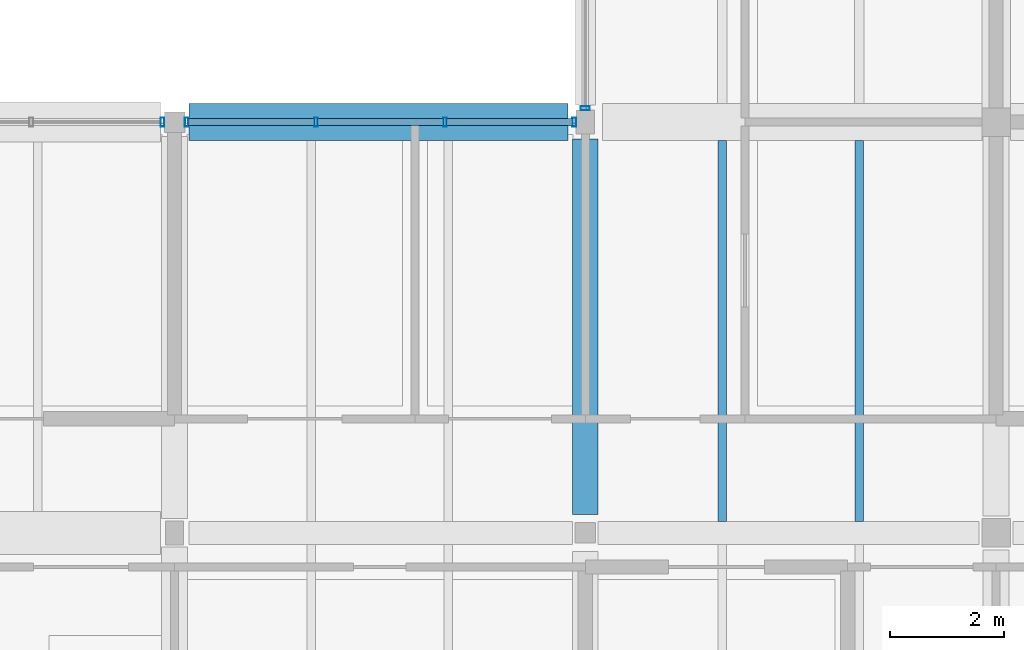
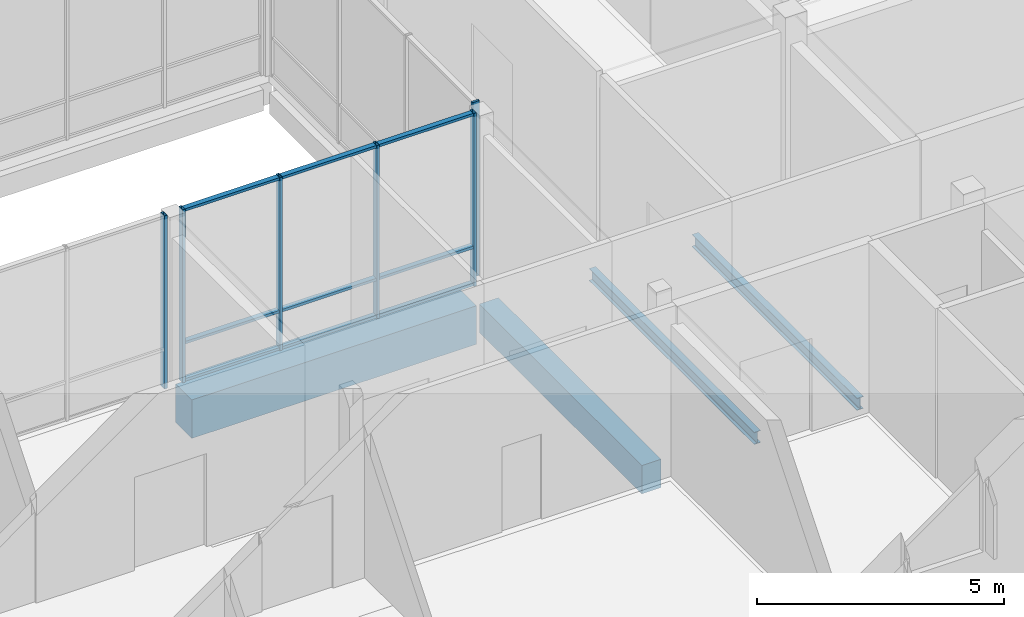
# One storey, part 69 of 146: 15 members, 4 beams, 3 elements without a shape of their own.
"""IFC4 building model written with IfcOpenShell, lengths in metres."""

from ifc_helpers import new_model, si_unit, direction, frame, origin, origin_2d, place, context, subcontext, project, spatial, rectangle, hollow_rectangle, i_section, extrude, material, material_profile, profile_set, type_object, element, aggregate, save


model = new_model("IFC4")

# Units and contexts
model_context = context("Model", 3, precision=1e-05, world=origin(), true_north=direction((0.0, 1.0)))
body_context = subcontext(model_context, "Body", "Model", "MODEL_VIEW")
ifc_project = project(units=[si_unit("LENGTHUNIT", "METRE"), si_unit("AREAUNIT", "SQUARE_METRE"), si_unit("VOLUMEUNIT", "CUBIC_METRE"), si_unit("PLANEANGLEUNIT", "RADIAN"), si_unit("MASSUNIT", "GRAM", prefix="KILO")], contexts=[model_context])

# Site, building, storey
site_placement = place(None, origin())
site = spatial("IfcSite", under=ifc_project, at=site_placement, CompositionType="ELEMENT")
building_placement = place(site_placement, origin())
building = spatial("IfcBuilding", under=site, at=building_placement, Name="Hawrajan Terrace Health Centre", CompositionType="ELEMENT")
storey_placement = place(building_placement, frame((0.0, 0.0, 4.5)))
storey = spatial("IfcBuildingStorey", under=building, at=storey_placement, Name="L01", CompositionType="ELEMENT", Elevation=4.5)

# Curtain wall, member
ifc_material_1 = material(Name="Anodized bronze aluminium and low-E solar glazing", Category="aluminium")
curtain_wall_type_1 = type_object("IfcCurtainWallType", Name="CW_Diagnostic_SeriesM2", PredefinedType="USERDEFINED", material=ifc_material_1)
curtain_wall_1_placement = place(storey_placement, origin())
curtain_wall_1 = element("IfcCurtainWall", 1, at=curtain_wall_1_placement, inside=storey, type_object=curtain_wall_type_1, Name="Curtain wall CW-L01-096", ObjectType="UNITISED CURTAIN WALL", PredefinedType="USERDEFINED")
ifc_material_2 = material(Name="Anodized bronze aluminium 6063-T6", Category="aluminium")
ifc_material_profile_1 = material_profile(ifc_material_2, hollow_rectangle(XDim=0.06494140625, YDim=0.159912109375, WallThickness=0.00390625, at=origin_2d()), Name="CW MUL 65x160")
ifc_profile_set_1 = profile_set([ifc_material_profile_1], Name="Anodized bronze aluminium 6063-T6")
member_type_1 = type_object("IfcMemberType", Name="CWMullion_65x160", PredefinedType="MULLION", material=ifc_profile_set_1)
member_1_placement = place(storey_placement, frame((100.387451171875, 18.60009765625, -0.0048828125), z_axis=(0.0, 0.0, 1.0), x_axis=(1.0, 0.0, 0.0)))
member_1 = element("IfcMember", 2, at=member_1_placement, type_object=member_type_1, Name="Mullion CW-L01-096-M5", PredefinedType="MULLION", context=body_context, shape_type="SweptSolid", body=[
    extrude(hollow_rectangle(XDim=0.06494140625, YDim=0.159912109375, WallThickness=0.00390625, at=origin_2d()), origin(), (0.0, 0.0, 1.0), 4.269775390625),
])
aggregate(curtain_wall_1, [member_1])

# Curtain wall, members
curtain_wall_type_2 = type_object("IfcCurtainWallType", Name="CW_Court_SeriesA3", PredefinedType="USERDEFINED", material=ifc_material_1)
curtain_wall_2_placement = place(storey_placement, origin())
curtain_wall_2 = element("IfcCurtainWall", 3, at=curtain_wall_2_placement, inside=storey, type_object=curtain_wall_type_2, Name="Curtain wall CW-L01-099", ObjectType="UNITISED CURTAIN WALL", PredefinedType="USERDEFINED")
member_2_placement = place(storey_placement, frame((100.8125, 18.60009765625, -0.0048828125), z_axis=(0.0, 0.0, 1.0), x_axis=(1.0, 0.0, 0.0)))
member_2 = element("IfcMember", 4, at=member_2_placement, type_object=member_type_1, Name="Mullion CW-L01-099-M1", PredefinedType="MULLION", context=body_context, shape_type="SweptSolid", body=[
    extrude(hollow_rectangle(XDim=0.06494140625, YDim=0.159912109375, WallThickness=0.00390625, at=origin_2d()), origin(), (0.0, 0.0, 1.0), 4.269775390625),
])
member_3_placement = place(storey_placement, frame((103.077392578125, 18.60009765625, -0.0048828125), z_axis=(0.0, 0.0, 1.0), x_axis=(1.0, 0.0, 0.0)))
member_3 = element("IfcMember", 5, at=member_3_placement, type_object=member_type_1, Name="Mullion CW-L01-099-M2", PredefinedType="MULLION", context=body_context, shape_type="SweptSolid", body=[
    extrude(hollow_rectangle(XDim=0.06494140625, YDim=0.159912109375, WallThickness=0.00390625, at=origin_2d()), origin(), (0.0, 0.0, 1.0), 4.269775390625),
])
member_4_placement = place(storey_placement, frame((105.342529296875, 18.60009765625, -0.0048828125), z_axis=(0.0, 0.0, 1.0), x_axis=(1.0, 0.0, 0.0)))
member_4 = element("IfcMember", 6, at=member_4_placement, type_object=member_type_1, Name="Mullion CW-L01-099-M3", PredefinedType="MULLION", context=body_context, shape_type="SweptSolid", body=[
    extrude(hollow_rectangle(XDim=0.06494140625, YDim=0.159912109375, WallThickness=0.00390625, at=origin_2d()), origin(), (0.0, 0.0, 1.0), 4.269775390625),
])
member_5_placement = place(storey_placement, frame((107.607421875, 18.60009765625, -0.0048828125), z_axis=(0.0, 0.0, 1.0), x_axis=(1.0, 0.0, 0.0)))
member_5 = element("IfcMember", 7, at=member_5_placement, type_object=member_type_1, Name="Mullion CW-L01-099-M4", PredefinedType="MULLION", context=body_context, shape_type="SweptSolid", body=[
    extrude(hollow_rectangle(XDim=0.06494140625, YDim=0.159912109375, WallThickness=0.00390625, at=origin_2d()), origin(), (0.0, 0.0, 1.0), 4.269775390625),
])

# Curtain wall, member
curtain_wall_type_3 = type_object("IfcCurtainWallType", Name="CW_Court_SeriesB3", PredefinedType="USERDEFINED", material=ifc_material_1)
curtain_wall_3_placement = place(storey_placement, origin())
curtain_wall_3 = element("IfcCurtainWall", 8, at=curtain_wall_3_placement, inside=storey, type_object=curtain_wall_type_3, Name="Curtain wall CW-L01-102", ObjectType="UNITISED CURTAIN WALL", PredefinedType="USERDEFINED")
member_6_placement = place(storey_placement, frame((107.800048828125, 18.842529296875, -0.0048828125), z_axis=(0.0, 0.0, 1.0), x_axis=(0.0, 1.0, 0.0)))
member_6 = element("IfcMember", 9, at=member_6_placement, type_object=member_type_1, Name="Mullion CW-L01-102-M1", PredefinedType="MULLION", context=body_context, shape_type="SweptSolid", body=[
    extrude(hollow_rectangle(XDim=0.06494140625, YDim=0.159912109375, WallThickness=0.00390625, at=origin_2d()), origin(), (0.0, 0.0, 1.0), 4.309814453125),
])
aggregate(curtain_wall_3, [member_6])

# Member
ifc_material_profile_2 = material_profile(ifc_material_2, hollow_rectangle(XDim=0.06494140625, YDim=0.1201171875, WallThickness=0.00341796875, at=origin_2d()), Name="CW TRN 65x120")
ifc_profile_set_2 = profile_set([ifc_material_profile_2], Name="Anodized bronze aluminium 6063-T6")
member_type_2 = type_object("IfcMemberType", Name="CWTransom_65x120", PredefinedType="USERDEFINED", material=ifc_profile_set_2)
member_7_placement = place(storey_placement, frame((100.839111328125, 18.60009765625, 0.032470703125), z_axis=(1.0, 0.0, 0.0), x_axis=(0.0, 0.0, 1.0)))
member_7 = element("IfcMember", 10, at=member_7_placement, type_object=member_type_2, Name="Transom CW-L01-099-T1-1", ObjectType="TRANSOM", PredefinedType="USERDEFINED", context=body_context, shape_type="SweptSolid", body=[
    extrude(hollow_rectangle(XDim=0.06494140625, YDim=0.1201171875, WallThickness=0.00341796875, at=origin_2d()), origin(), (0.0, 0.0, 1.0), 2.2119140625),
])

member_8_placement = place(storey_placement, frame((100.839111328125, 18.60009765625, 0.949951171875), z_axis=(1.0, 0.0, 0.0), x_axis=(0.0, 0.0, 1.0)))
member_8 = element("IfcMember", 11, at=member_8_placement, type_object=member_type_2, Name="Transom CW-L01-099-T1-2", ObjectType="TRANSOM", PredefinedType="USERDEFINED", context=body_context, shape_type="SweptSolid", body=[
    extrude(hollow_rectangle(XDim=0.06494140625, YDim=0.1201171875, WallThickness=0.00341796875, at=origin_2d()), origin(), (0.0, 0.0, 1.0), 2.2119140625),
])

member_9_placement = place(storey_placement, frame((100.839111328125, 18.60009765625, 4.2275390625), z_axis=(1.0, 0.0, 0.0), x_axis=(0.0, 0.0, 1.0)))
member_9 = element("IfcMember", 12, at=member_9_placement, type_object=member_type_2, Name="Transom CW-L01-099-T1-3", ObjectType="TRANSOM", PredefinedType="USERDEFINED", context=body_context, shape_type="SweptSolid", body=[
    extrude(hollow_rectangle(XDim=0.06494140625, YDim=0.1201171875, WallThickness=0.00341796875, at=origin_2d()), origin(), (0.0, 0.0, 1.0), 2.2119140625),
])

member_10_placement = place(storey_placement, frame((103.10400390625, 18.60009765625, 0.032470703125), z_axis=(1.0, 0.0, 0.0), x_axis=(0.0, 0.0, 1.0)))
member_10 = element("IfcMember", 13, at=member_10_placement, type_object=member_type_2, Name="Transom CW-L01-099-T2-1", ObjectType="TRANSOM", PredefinedType="USERDEFINED", context=body_context, shape_type="SweptSolid", body=[
    extrude(hollow_rectangle(XDim=0.06494140625, YDim=0.1201171875, WallThickness=0.00341796875, at=origin_2d()), origin(), (0.0, 0.0, 1.0), 2.2119140625),
])

member_11_placement = place(storey_placement, frame((103.10400390625, 18.60009765625, 0.949951171875), z_axis=(1.0, 0.0, 0.0), x_axis=(0.0, 0.0, 1.0)))
member_11 = element("IfcMember", 14, at=member_11_placement, type_object=member_type_2, Name="Transom CW-L01-099-T2-2", ObjectType="TRANSOM", PredefinedType="USERDEFINED", context=body_context, shape_type="SweptSolid", body=[
    extrude(hollow_rectangle(XDim=0.06494140625, YDim=0.1201171875, WallThickness=0.00341796875, at=origin_2d()), origin(), (0.0, 0.0, 1.0), 2.2119140625),
])

member_12_placement = place(storey_placement, frame((103.10400390625, 18.60009765625, 4.2275390625), z_axis=(1.0, 0.0, 0.0), x_axis=(0.0, 0.0, 1.0)))
member_12 = element("IfcMember", 15, at=member_12_placement, type_object=member_type_2, Name="Transom CW-L01-099-T2-3", ObjectType="TRANSOM", PredefinedType="USERDEFINED", context=body_context, shape_type="SweptSolid", body=[
    extrude(hollow_rectangle(XDim=0.06494140625, YDim=0.1201171875, WallThickness=0.00341796875, at=origin_2d()), origin(), (0.0, 0.0, 1.0), 2.2119140625),
])

member_13_placement = place(storey_placement, frame((105.368896484375, 18.60009765625, 0.032470703125), z_axis=(1.0, 0.0, 0.0), x_axis=(0.0, 0.0, 1.0)))
member_13 = element("IfcMember", 16, at=member_13_placement, type_object=member_type_2, Name="Transom CW-L01-099-T3-1", ObjectType="TRANSOM", PredefinedType="USERDEFINED", context=body_context, shape_type="SweptSolid", body=[
    extrude(hollow_rectangle(XDim=0.06494140625, YDim=0.1201171875, WallThickness=0.00341796875, at=origin_2d()), origin(), (0.0, 0.0, 1.0), 2.212158203125),
])

member_14_placement = place(storey_placement, frame((105.368896484375, 18.60009765625, 0.949951171875), z_axis=(1.0, 0.0, 0.0), x_axis=(0.0, 0.0, 1.0)))
member_14 = element("IfcMember", 17, at=member_14_placement, type_object=member_type_2, Name="Transom CW-L01-099-T3-2", ObjectType="TRANSOM", PredefinedType="USERDEFINED", context=body_context, shape_type="SweptSolid", body=[
    extrude(hollow_rectangle(XDim=0.06494140625, YDim=0.1201171875, WallThickness=0.00341796875, at=origin_2d()), origin(), (0.0, 0.0, 1.0), 2.212158203125),
])

member_15_placement = place(storey_placement, frame((105.368896484375, 18.60009765625, 4.2275390625), z_axis=(1.0, 0.0, 0.0), x_axis=(0.0, 0.0, 1.0)))
member_15 = element("IfcMember", 18, at=member_15_placement, type_object=member_type_2, Name="Transom CW-L01-099-T3-3", ObjectType="TRANSOM", PredefinedType="USERDEFINED", context=body_context, shape_type="SweptSolid", body=[
    extrude(hollow_rectangle(XDim=0.06494140625, YDim=0.1201171875, WallThickness=0.00341796875, at=origin_2d()), origin(), (0.0, 0.0, 1.0), 2.212158203125),
])

aggregate(curtain_wall_2, [member_2, member_3, member_4, member_5, member_7, member_8, member_9, member_10, member_11, member_12, member_13, member_14, member_15])

# Beams
ifc_material_3 = material(Name="Concrete C40/50", Category="concrete")
ifc_material_profile_3 = material_profile(ifc_material_3, rectangle(XDim=0.449951171875, YDim=0.699951171875, at=origin_2d()), Name="RC BM 450x700")
ifc_profile_set_3 = profile_set([ifc_material_profile_3], Name="Concrete C40/50")
beam_type_1 = type_object("IfcBeamType", Name="RCGirder_450x700", PredefinedType="BEAM", material=ifc_profile_set_3)
beam_1_placement = place(storey_placement, frame((107.800048828125, 11.72509765625, -0.64990234375), z_axis=(0.0, 1.0, 0.0), x_axis=(-1.0, 0.0, 0.0)))
element("IfcBeam", 19, at=beam_1_placement, inside=storey, type_object=beam_type_1, Name="Beam BM-Y-L01-C-X14-2", PredefinedType="BEAM", context=body_context, shape_type="SweptSolid", body=[
    extrude(rectangle(XDim=0.449951171875, YDim=0.699951171875, at=origin_2d()), origin(), (0.0, 0.0, 1.0), 6.574951171875),
])
ifc_material_profile_4 = material_profile(ifc_material_3, rectangle(XDim=0.64990234375, YDim=0.949951171875, at=origin_2d()), Name="RC TG 650x950")
ifc_profile_set_4 = profile_set([ifc_material_profile_4], Name="Concrete C40/50")
beam_type_2 = type_object("IfcBeamType", Name="RCTransferGirder_650x950", PredefinedType="BEAM", material=ifc_profile_set_4)
beam_2_placement = place(storey_placement, frame((100.85009765625, 18.60009765625, -0.77490234375), z_axis=(1.0, 0.0, 0.0), x_axis=(0.0, 1.0, 0.0)))
element("IfcBeam", 20, at=beam_2_placement, inside=storey, type_object=beam_type_2, Name="Beam BM-X-L01-C-13-Y3", PredefinedType="BEAM", context=body_context, shape_type="SweptSolid", body=[
    extrude(rectangle(XDim=0.64990234375, YDim=0.949951171875, at=origin_2d()), origin(), (0.0, 0.0, 1.0), 6.64990234375),
])
ifc_material_4 = material(Name="Steel S355", Category="steel")
ifc_material_profile_5 = material_profile(ifc_material_4, i_section(OverallWidth=0.14990234375, OverallDepth=0.300048828125, WebThickness=0.007080078125, FlangeThickness=0.0107421875, FilletRadius=0.014892578125, at=origin_2d()), Name="IPE 300")
ifc_profile_set_5 = profile_set([ifc_material_profile_5], Name="Steel S355")
beam_type_3 = type_object("IfcBeamType", Name="SteelBeam_IPE300", PredefinedType="JOIST", material=ifc_profile_set_5)
for number, where, z_axis, x_axis, name in (
    (21, (110.199951171875, 11.60009765625, -0.449951171875), (0.0, 1.0, 0.0), (-1.0, 0.0, 0.0), "Secondary joist JST-L01-C-14-2-1"),
    (22, (112.60009765625, 11.60009765625, -0.449951171875), (0.0, 1.0, 0.0), (-1.0, 0.0, 0.0), "Secondary joist JST-L01-C-14-2-2"),
):
    element("IfcBeam", number, at=place(storey_placement, frame(where, z_axis=z_axis, x_axis=x_axis)), inside=storey, type_object=beam_type_3, Name=name, PredefinedType="JOIST", context=body_context, shape_type="SweptSolid", body=[
        extrude(i_section(OverallWidth=0.14990234375, OverallDepth=0.300048828125, WebThickness=0.007080078125, FlangeThickness=0.0107421875, FilletRadius=0.014892578125, at=origin_2d()), origin(), (0.0, 0.0, 1.0), 6.6748046875),
    ])

save(model, "model.ifc")
